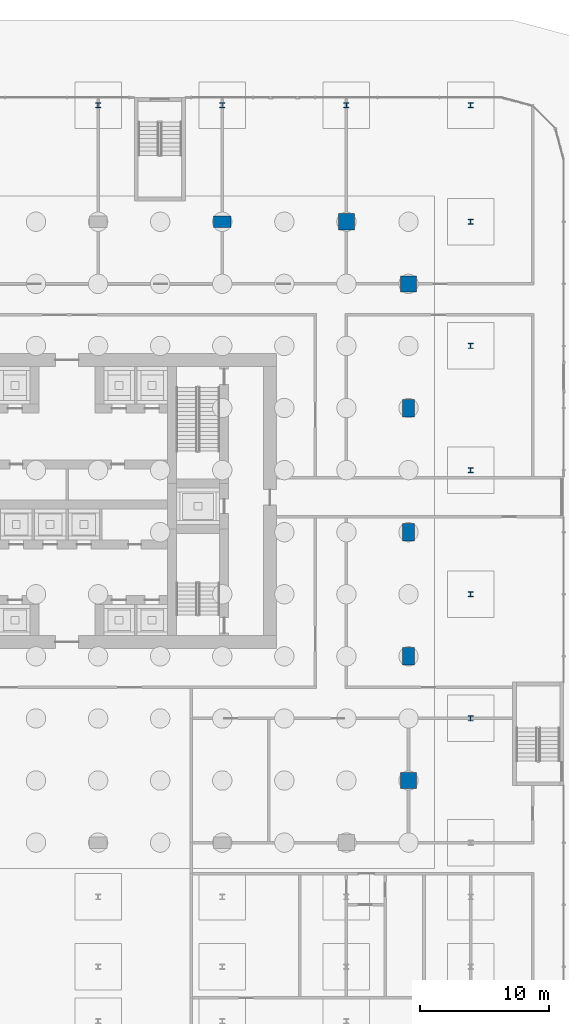
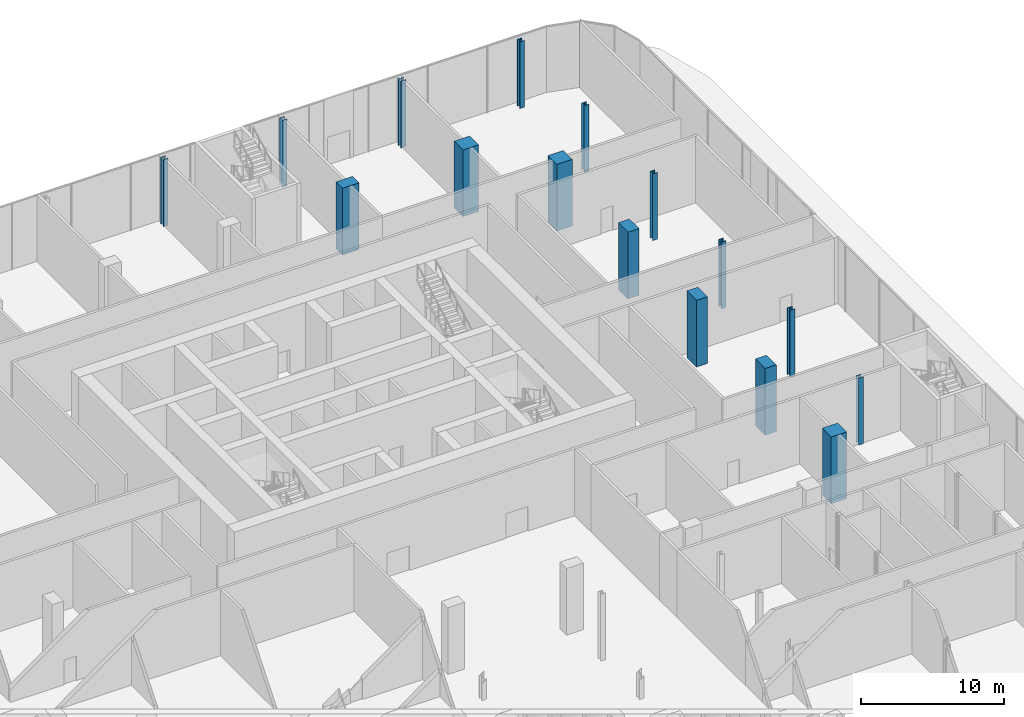
# One storey, part 7 of 44: 16 columns.
"""IFC4 building model written with IfcOpenShell, lengths in metres."""

from ifc_helpers import new_model, si_unit, direction, frame, origin, origin_2d, place, context, subcontext, project, spatial, rectangle, i_section, extrude, material, material_profile, profile_set, type_object, element, save


model = new_model("IFC4")

# Units and contexts
model_context = context("Model", 3, precision=1e-05, world=origin(), true_north=direction((0.0, 1.0)))
body_context = subcontext(model_context, "Body", "Model", "MODEL_VIEW")
ifc_project = project(units=[si_unit("LENGTHUNIT", "METRE"), si_unit("AREAUNIT", "SQUARE_METRE"), si_unit("VOLUMEUNIT", "CUBIC_METRE"), si_unit("PLANEANGLEUNIT", "RADIAN"), si_unit("MASSUNIT", "GRAM", prefix="KILO")], contexts=[model_context])

# Site, building, storey
site_placement = place(None, origin())
site = spatial("IfcSite", under=ifc_project, at=site_placement, CompositionType="ELEMENT")
building_placement = place(site_placement, origin())
building = spatial("IfcBuilding", under=site, at=building_placement, Name="Madar Terraces", CompositionType="ELEMENT")
storey_placement = place(building_placement, origin())
storey = spatial("IfcBuildingStorey", under=building, at=storey_placement, Name="L00", CompositionType="ELEMENT", Elevation=0.0)

# Columns
ifc_material_1 = material(Name="Concrete C80/95", Category="concrete")
ifc_material_profile_1 = material_profile(ifc_material_1, rectangle(XDim=1.35009765625, YDim=0.89990234375, at=origin_2d()), Name="CC1 RC 1350x900")
ifc_profile_set_1 = profile_set([ifc_material_profile_1], Name="Concrete C80/95")
column_type_1 = type_object("IfcColumnType", Name="CC1 RC 1350x900", PredefinedType="COLUMN", material=ifc_profile_set_1)
for number, where, z_axis, x_axis, name in (
    (1, (57.60009765625, 14.39990234375, 0.0), (0.0, 0.0, 1.0), (0.0, 1.0, 0.0), "Perimeter column E2"),
    (2, (57.60009765625, 24.0, 0.0), (0.0, 0.0, 1.0), (0.0, 1.0, 0.0), "Perimeter column E3"),
    (3, (57.60009765625, 33.60009765625, 0.0), (0.0, 0.0, 1.0), (0.0, 1.0, 0.0), "Perimeter column E4"),
    (4, (43.199951171875, 48.0, 0.0), (0.0, 0.0, 1.0), (1.0, 0.0, 0.0), "Perimeter column N2"),
):
    element("IfcColumn", number, at=place(storey_placement, frame(where, z_axis=z_axis, x_axis=x_axis)), inside=storey, type_object=column_type_1, Name=name, PredefinedType="COLUMN", context=body_context, shape_type="SweptSolid", body=[
        extrude(rectangle(XDim=1.35009765625, YDim=0.89990234375, at=origin_2d()), origin(), (0.0, 0.0, 1.0), 5.699951171875),
    ])
ifc_material_2 = material(Name="Concrete C80/95", Category="concrete")
ifc_material_profile_2 = material_profile(ifc_material_2, rectangle(XDim=1.25, YDim=1.25, at=origin_2d()), Name="KC1 RC 1250x1250")
ifc_profile_set_2 = profile_set([ifc_material_profile_2], Name="Concrete C80/95")
column_type_2 = type_object("IfcColumnType", Name="KC1 RC 1250x1250", PredefinedType="COLUMN", material=ifc_profile_set_2)
for number, where, z_axis, x_axis, name in (
    (5, (57.60009765625, 4.800048828125, 0.0), (0.0, 0.0, 1.0), (1.0, 0.0, 0.0), "Perimeter column E1"),
    (6, (57.60009765625, 43.199951171875, 0.0), (0.0, 0.0, 1.0), (1.0, 0.0, 0.0), "Perimeter column E5"),
    (7, (52.800048828125, 48.0, 0.0), (0.0, 0.0, 1.0), (1.0, 0.0, 0.0), "Perimeter column N1"),
):
    element("IfcColumn", number, at=place(storey_placement, frame(where, z_axis=z_axis, x_axis=x_axis)), inside=storey, type_object=column_type_2, Name=name, PredefinedType="COLUMN", context=body_context, shape_type="SweptSolid", body=[
        extrude(rectangle(XDim=1.25, YDim=1.25, at=origin_2d()), origin(), (0.0, 0.0, 1.0), 5.699951171875),
    ])
ifc_material_3 = material(Name="Steel ASTM A992 Grade 50", Category="steel")
ifc_material_profile_3 = material_profile(ifc_material_3, i_section(OverallWidth=0.396240234375, OverallDepth=0.381103515625, WebThickness=0.01904296875, FlangeThickness=0.0302734375, at=origin_2d()), Name="W14x159")
ifc_profile_set_3 = profile_set([ifc_material_profile_3], Name="Steel ASTM A992 Grade 50")
column_type_3 = type_object("IfcColumnType", Name="PC2 W14x159", PredefinedType="COLUMN", material=ifc_profile_set_3)
for number, where, z_axis, x_axis, name in (
    (8, (33.60009765625, 57.0, 0.0), (0.0, 0.0, 1.0), (1.0, 0.0, 0.0), "Podium column PC2"),
    (9, (43.199951171875, 57.0, 0.0), (0.0, 0.0, 1.0), (1.0, 0.0, 0.0), "Podium column PC2"),
    (10, (52.800048828125, 57.0, 0.0), (0.0, 0.0, 1.0), (1.0, 0.0, 0.0), "Podium column PC2"),
    (11, (62.39990234375, 9.60009765625, 0.0), (0.0, 0.0, 1.0), (1.0, 0.0, 0.0), "Podium column PC2"),
    (12, (62.39990234375, 19.199951171875, 0.0), (0.0, 0.0, 1.0), (1.0, 0.0, 0.0), "Podium column PC2"),
    (13, (62.39990234375, 28.800048828125, 0.0), (0.0, 0.0, 1.0), (1.0, 0.0, 0.0), "Podium column PC2"),
    (14, (62.39990234375, 38.39990234375, 0.0), (0.0, 0.0, 1.0), (1.0, 0.0, 0.0), "Podium column PC2"),
    (15, (62.39990234375, 48.0, 0.0), (0.0, 0.0, 1.0), (1.0, 0.0, 0.0), "Podium column PC2"),
    (16, (62.39990234375, 57.0, 0.0), (0.0, 0.0, 1.0), (1.0, 0.0, 0.0), "Podium column PC2"),
):
    element("IfcColumn", number, at=place(storey_placement, frame(where, z_axis=z_axis, x_axis=x_axis)), inside=storey, type_object=column_type_3, Name=name, PredefinedType="COLUMN", context=body_context, shape_type="SweptSolid", body=[
        extrude(i_section(OverallWidth=0.396240234375, OverallDepth=0.381103515625, WebThickness=0.01904296875, FlangeThickness=0.0302734375, at=origin_2d()), origin(), (0.0, 0.0, 1.0), 5.699951171875),
    ])

save(model, "model.ifc")
